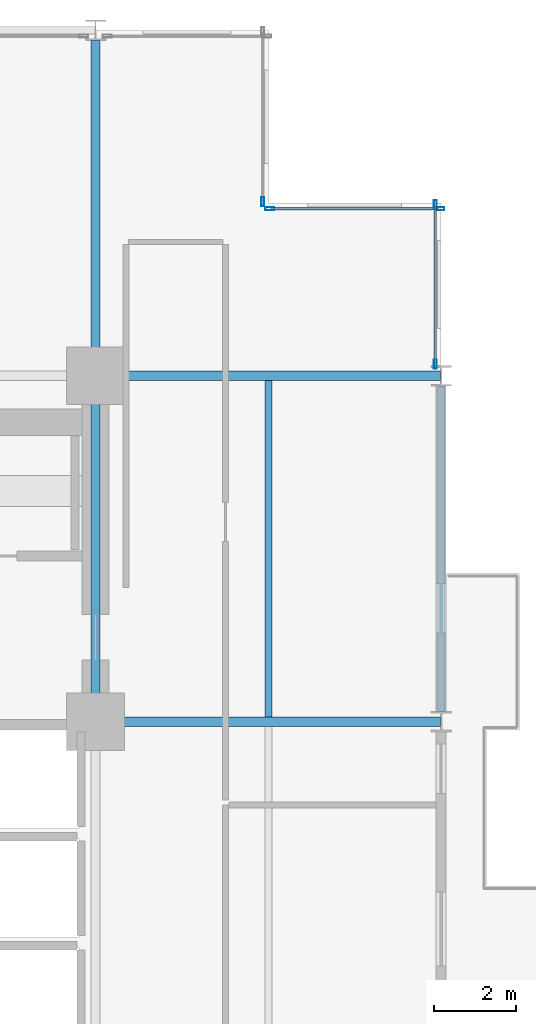
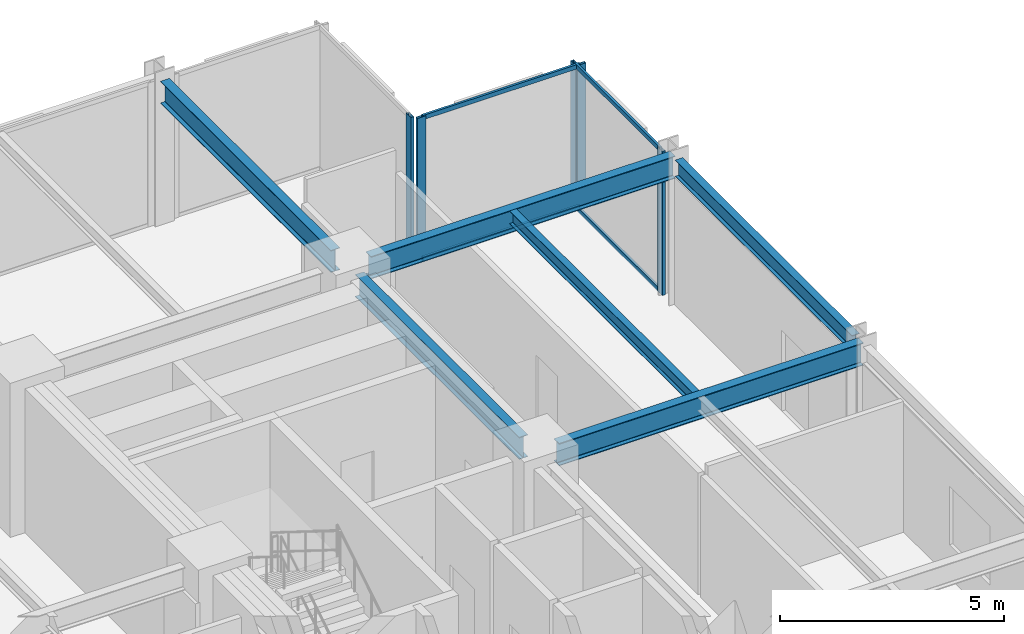
# One storey, part 16 of 24: 9 members, 6 beams, 3 elements without a shape of their own.
"""IFC4 building model written with IfcOpenShell, lengths in metres."""

from ifc_helpers import new_model, si_unit, direction, frame, origin, origin_2d, place, context, subcontext, project, spatial, hollow_rectangle, i_section, extrude, material, layer, layer_set, material_profile, profile_set, type_object, element, aggregate, save


model = new_model("IFC4")

# Units and contexts
model_context = context("Model", 3, precision=1e-05, world=origin(), true_north=direction((0.0, 1.0)))
body_context = subcontext(model_context, "Body", "Model", "MODEL_VIEW")
ifc_project = project(units=[si_unit("LENGTHUNIT", "METRE"), si_unit("AREAUNIT", "SQUARE_METRE"), si_unit("VOLUMEUNIT", "CUBIC_METRE"), si_unit("PLANEANGLEUNIT", "RADIAN"), si_unit("MASSUNIT", "GRAM", prefix="KILO")], contexts=[model_context])

# Site, building, storey
site_placement = place(None, origin())
site = spatial("IfcSite", under=ifc_project, at=site_placement, CompositionType="ELEMENT")
building_placement = place(site_placement, origin())
building = spatial("IfcBuilding", under=site, at=building_placement, Name="Nerrivon Quay Data Exchange", CompositionType="ELEMENT")
storey_placement = place(building_placement, frame((0.0, 0.0, 33.199951171875)))
storey = spatial("IfcBuildingStorey", under=building, at=storey_placement, Name="L07", CompositionType="ELEMENT", Elevation=33.199951171875)

# Beams
ifc_material_1 = material(Name="Steel Grade 350", Category="steel")
ifc_material_profile_1 = material_profile(ifc_material_1, i_section(OverallWidth=0.22900390625, OverallDepth=0.612060546875, WebThickness=0.011962890625, FlangeThickness=0.01953125, FilletRadius=0.013916015625, at=origin_2d()), Name="610UB125")
ifc_profile_set_1 = profile_set([ifc_material_profile_1], Name="Steel Grade 350")
beam_type_1 = type_object("IfcBeamType", Name="BM-G1-610UB125", PredefinedType="BEAM", material=ifc_profile_set_1)
for number, where, z_axis, x_axis, name in (
    (1, (17.340087890625, 33.60009765625, 3.619140625), (1.0, 0.0, 0.0), (0.0, 1.0, 0.0), "L07 EW Girder Y=33.6 (16.8..25.2)"),
    (2, (17.340087890625, 42.0, 3.619140625), (1.0, 0.0, 0.0), (0.0, 1.0, 0.0), "L07 EW Girder Y=42.0 (16.8..25.2)"),
):
    element("IfcBeam", number, at=place(storey_placement, frame(where, z_axis=z_axis, x_axis=x_axis)), inside=storey, type_object=beam_type_1, Name=name, PredefinedType="BEAM", context=body_context, shape_type="SweptSolid", body=[
        extrude(i_section(OverallWidth=0.22900390625, OverallDepth=0.612060546875, WebThickness=0.011962890625, FlangeThickness=0.01953125, FilletRadius=0.013916015625, at=origin_2d()), origin(), (0.0, 0.0, 1.0), 7.845947265625),
    ])
ifc_material_profile_2 = material_profile(ifc_material_1, i_section(OverallWidth=0.22802734375, OverallDepth=0.60205078125, WebThickness=0.010498046875, FlangeThickness=0.014892578125, FilletRadius=0.013916015625, at=origin_2d()), Name="610UB101")
ifc_profile_set_2 = profile_set([ifc_material_profile_2], Name="Steel Grade 350")
beam_type_2 = type_object("IfcBeamType", Name="BM-G2-610UB101", PredefinedType="BEAM", material=ifc_profile_set_2)
beam_1_placement = place(storey_placement, frame((16.800048828125, 34.139892578125, 3.6240234375), z_axis=(0.0, 1.0, 0.0), x_axis=(-1.0, 0.0, 0.0)))
element("IfcBeam", 3, at=beam_1_placement, inside=storey, type_object=beam_type_2, Name="L07 NS Girder X=16.8 (33.6..42.0)", PredefinedType="BEAM", context=body_context, shape_type="SweptSolid", body=[
    extrude(i_section(OverallWidth=0.22802734375, OverallDepth=0.60205078125, WebThickness=0.010498046875, FlangeThickness=0.014892578125, FilletRadius=0.013916015625, at=origin_2d()), origin(), (0.0, 0.0, 1.0), 7.320068359375),
])
beam_2_placement = place(storey_placement, frame((16.800048828125, 42.5400390625, 3.6240234375), z_axis=(0.0, 1.0, 0.0), x_axis=(-1.0, 0.0, 0.0)))
element("IfcBeam", 4, at=beam_2_placement, inside=storey, type_object=beam_type_2, Name="L07 NS Girder X=16.8 (42.0..50.4)", PredefinedType="BEAM", context=body_context, shape_type="SweptSolid", body=[
    extrude(i_section(OverallWidth=0.22802734375, OverallDepth=0.60205078125, WebThickness=0.010498046875, FlangeThickness=0.014892578125, FilletRadius=0.013916015625, at=origin_2d()), origin(), (0.0, 0.0, 1.0), 7.60986328125),
])
ifc_material_profile_3 = material_profile(ifc_material_1, i_section(OverallWidth=0.172119140625, OverallDepth=0.35888671875, WebThickness=0.008056640625, FlangeThickness=0.012939453125, FilletRadius=0.011474609375, at=origin_2d()), Name="360UB56.7")
ifc_profile_set_3 = profile_set([ifc_material_profile_3], Name="Steel Grade 350")
beam_type_3 = type_object("IfcBeamType", Name="BM-J3-360UB57", PredefinedType="JOIST", material=ifc_profile_set_3)
beam_3_placement = place(storey_placement, frame((21.0, 33.714599609375, 3.74560546875), z_axis=(0.0, 1.0, 0.0), x_axis=(-1.0, 0.0, 0.0)))
element("IfcBeam", 5, at=beam_3_placement, inside=storey, type_object=beam_type_3, Name="L07 Secondary Joist X=21.0 (33.6..42.0)", PredefinedType="JOIST", context=body_context, shape_type="SweptSolid", body=[
    extrude(i_section(OverallWidth=0.172119140625, OverallDepth=0.35888671875, WebThickness=0.008056640625, FlangeThickness=0.012939453125, FilletRadius=0.011474609375, at=origin_2d()), origin(), (0.0, 0.0, 1.0), 8.1708984375),
])
ifc_material_profile_4 = material_profile(ifc_material_1, i_section(OverallWidth=0.18994140625, OverallDepth=0.4541015625, WebThickness=0.008544921875, FlangeThickness=0.0126953125, FilletRadius=0.011474609375, at=origin_2d()), Name="460UB67.1")
ifc_profile_set_4 = profile_set([ifc_material_profile_4], Name="Steel Grade 350")
beam_type_4 = type_object("IfcBeamType", Name="BM-SP1-460UB67", PredefinedType="SPANDREL", material=ifc_profile_set_4)
beam_4_placement = place(storey_placement, frame((25.199951171875, 33.85009765625, 3.697998046875), z_axis=(0.0, 1.0, 0.0), x_axis=(-1.0, 0.0, 0.0)))
element("IfcBeam", 6, at=beam_4_placement, inside=storey, type_object=beam_type_4, Name="L07 NS Girder X=25.2 (33.6..42.0)", PredefinedType="SPANDREL", context=body_context, shape_type="SweptSolid", body=[
    extrude(i_section(OverallWidth=0.18994140625, OverallDepth=0.4541015625, WebThickness=0.008544921875, FlangeThickness=0.0126953125, FilletRadius=0.011474609375, at=origin_2d()), origin(), (0.0, 0.0, 1.0), 7.89990234375),
])

# Curtain wall, member
ifc_material_2 = material(Name="Anodised aluminium 6063-T6", Category="aluminium")
ifc_layer = layer(ifc_material_2, 0.219970703125)
ifc_layer_set = layer_set([ifc_layer], Name="Anodised aluminium 6063-T6")
curtain_wall_type = type_object("IfcCurtainWallType", Name="CW-SYS-01", PredefinedType="NOTDEFINED", material=ifc_layer_set)
curtain_wall_1_placement = place(storey_placement, origin())
curtain_wall_1 = element("IfcCurtainWall", 7, at=curtain_wall_1_placement, inside=storey, type_object=curtain_wall_type, Name="L07 Unitised Curtain Wall 23", PredefinedType="NOTDEFINED")
ifc_material_profile_5 = material_profile(ifc_material_2, hollow_rectangle(XDim=0.074951171875, YDim=0.219970703125, WallThickness=0.00390625, at=origin_2d()), Name="ALU-MULL-220x75")
ifc_profile_set_5 = profile_set([ifc_material_profile_5], Name="Anodised aluminium 6063-T6")
member_type_1 = type_object("IfcMemberType", Name="CWM-220x75", PredefinedType="MULLION", material=ifc_profile_set_5)
member_1_placement = place(storey_placement, frame((20.860107421875, 46.237548828125, 0.0), z_axis=(0.0, 0.0, 1.0), x_axis=(1.0, 0.0, 0.0)))
member_1 = element("IfcMember", 8, at=member_1_placement, type_object=member_type_1, Name="CW01 mullion 2", PredefinedType="MULLION", context=body_context, shape_type="SweptSolid", body=[
    extrude(hollow_rectangle(XDim=0.074951171875, YDim=0.219970703125, WallThickness=0.00390625, at=origin_2d()), origin(), (0.0, 0.0, 1.0), 3.925048828125),
])
aggregate(curtain_wall_1, [member_1])

# Curtain wall, members
curtain_wall_2_placement = place(storey_placement, origin())
curtain_wall_2 = element("IfcCurtainWall", 9, at=curtain_wall_2_placement, inside=storey, type_object=curtain_wall_type, Name="L07 Unitised Curtain Wall 24", PredefinedType="NOTDEFINED")
member_2_placement = place(storey_placement, frame((21.03759765625, 46.06005859375, 0.0), z_axis=(0.0, 0.0, 1.0), x_axis=(0.0, 1.0, 0.0)))
member_2 = element("IfcMember", 10, at=member_2_placement, type_object=member_type_1, Name="CW01 mullion 1", PredefinedType="MULLION", context=body_context, shape_type="SweptSolid", body=[
    extrude(hollow_rectangle(XDim=0.074951171875, YDim=0.219970703125, WallThickness=0.00390625, at=origin_2d()), origin(), (0.0, 0.0, 1.0), 3.925048828125),
])
member_3_placement = place(storey_placement, frame((25.16259765625, 46.06005859375, 0.0), z_axis=(0.0, 0.0, 1.0), x_axis=(0.0, 1.0, 0.0)))
member_3 = element("IfcMember", 11, at=member_3_placement, type_object=member_type_1, Name="CW01 mullion 2", PredefinedType="MULLION", context=body_context, shape_type="SweptSolid", body=[
    extrude(hollow_rectangle(XDim=0.074951171875, YDim=0.219970703125, WallThickness=0.00390625, at=origin_2d()), origin(), (0.0, 0.0, 1.0), 3.925048828125),
])

curtain_wall_3_placement = place(storey_placement, origin())
curtain_wall_3 = element("IfcCurtainWall", 12, at=curtain_wall_3_placement, inside=storey, type_object=curtain_wall_type, Name="L07 Unitised Curtain Wall 25", PredefinedType="NOTDEFINED")
member_4_placement = place(storey_placement, frame((25.06005859375, 46.16259765625, 0.0), z_axis=(0.0, 0.0, 1.0), x_axis=(1.0, 0.0, 0.0)))
member_4 = element("IfcMember", 13, at=member_4_placement, type_object=member_type_1, Name="CW01 mullion 1", PredefinedType="MULLION", context=body_context, shape_type="SweptSolid", body=[
    extrude(hollow_rectangle(XDim=0.074951171875, YDim=0.219970703125, WallThickness=0.00390625, at=origin_2d()), origin(), (0.0, 0.0, 1.0), 3.925048828125),
])
member_5_placement = place(storey_placement, frame((25.06005859375, 42.28759765625, 0.0), z_axis=(0.0, 0.0, 1.0), x_axis=(1.0, 0.0, 0.0)))
member_5 = element("IfcMember", 14, at=member_5_placement, type_object=member_type_1, Name="CW01 mullion 2", PredefinedType="MULLION", context=body_context, shape_type="SweptSolid", body=[
    extrude(hollow_rectangle(XDim=0.074951171875, YDim=0.219970703125, WallThickness=0.00390625, at=origin_2d()), origin(), (0.0, 0.0, 1.0), 3.925048828125),
])

# Member
ifc_material_profile_6 = material_profile(ifc_material_2, hollow_rectangle(XDim=0.06005859375, YDim=0.1201171875, WallThickness=0.003173828125, at=origin_2d()), Name="ALU-TRAN-120x60")
ifc_profile_set_6 = profile_set([ifc_material_profile_6], Name="Anodised aluminium 6063-T6")
member_type_2 = type_object("IfcMemberType", Name="CWT-120x60", PredefinedType="USERDEFINED", material=ifc_profile_set_6)
member_6_placement = place(storey_placement, frame((21.074951171875, 46.06005859375, 0.032470703125), z_axis=(1.0, 0.0, 0.0), x_axis=(0.0, 1.0, 0.0)))
member_6 = element("IfcMember", 15, at=member_6_placement, type_object=member_type_2, Name="CW01 transom 1.1", ObjectType="TRANSOM", PredefinedType="USERDEFINED", context=body_context, shape_type="SweptSolid", body=[
    extrude(hollow_rectangle(XDim=0.06005859375, YDim=0.1201171875, WallThickness=0.003173828125, at=origin_2d()), origin(), (0.0, 0.0, 1.0), 4.050048828125),
])

member_7_placement = place(storey_placement, frame((21.074951171875, 46.06005859375, 3.892578125), z_axis=(1.0, 0.0, 0.0), x_axis=(0.0, 1.0, 0.0)))
member_7 = element("IfcMember", 16, at=member_7_placement, type_object=member_type_2, Name="CW01 transom 1.2", ObjectType="TRANSOM", PredefinedType="USERDEFINED", context=body_context, shape_type="SweptSolid", body=[
    extrude(hollow_rectangle(XDim=0.06005859375, YDim=0.1201171875, WallThickness=0.003173828125, at=origin_2d()), origin(), (0.0, 0.0, 1.0), 4.050048828125),
])

aggregate(curtain_wall_2, [member_2, member_3, member_6, member_7])

member_8_placement = place(storey_placement, frame((25.06005859375, 46.125, 0.032470703125), z_axis=(0.0, -1.0, 0.0), x_axis=(1.0, 0.0, 0.0)))
member_8 = element("IfcMember", 17, at=member_8_placement, type_object=member_type_2, Name="CW01 transom 1.1", ObjectType="TRANSOM", PredefinedType="USERDEFINED", context=body_context, shape_type="SweptSolid", body=[
    extrude(hollow_rectangle(XDim=0.06005859375, YDim=0.1201171875, WallThickness=0.003173828125, at=origin_2d()), origin(), (0.0, 0.0, 1.0), 3.800048828125),
])

member_9_placement = place(storey_placement, frame((25.06005859375, 46.125, 3.892578125), z_axis=(0.0, -1.0, 0.0), x_axis=(1.0, 0.0, 0.0)))
member_9 = element("IfcMember", 18, at=member_9_placement, type_object=member_type_2, Name="CW01 transom 1.2", ObjectType="TRANSOM", PredefinedType="USERDEFINED", context=body_context, shape_type="SweptSolid", body=[
    extrude(hollow_rectangle(XDim=0.06005859375, YDim=0.1201171875, WallThickness=0.003173828125, at=origin_2d()), origin(), (0.0, 0.0, 1.0), 3.800048828125),
])

aggregate(curtain_wall_3, [member_4, member_5, member_8, member_9])

save(model, "model.ifc")
